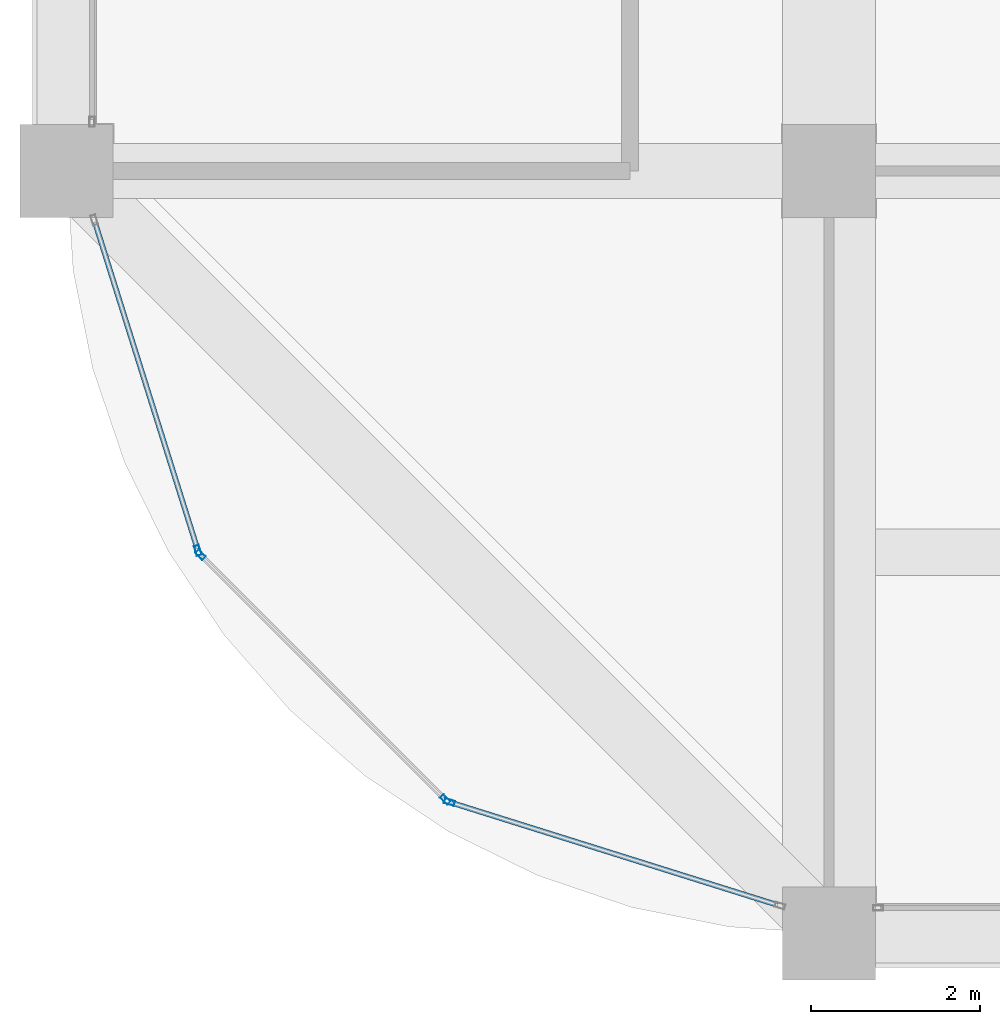
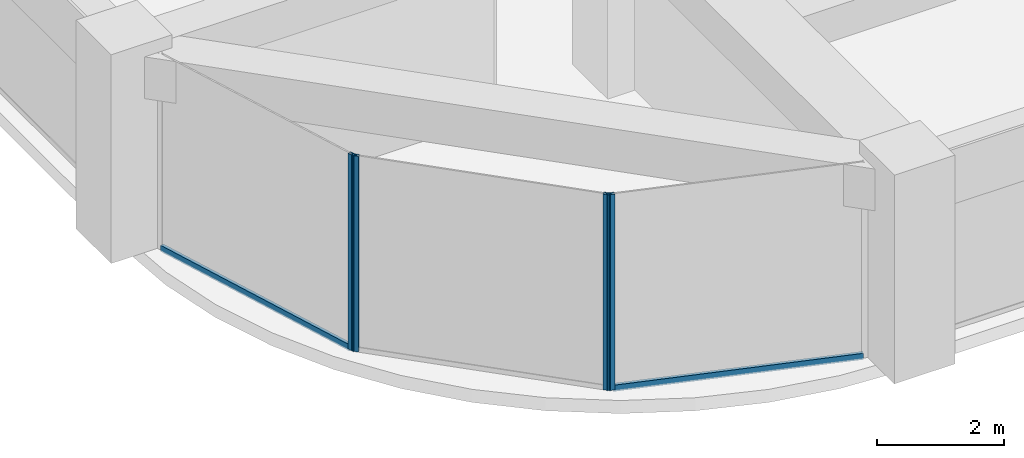
# One storey, part 2 of 44: 6 members, 3 elements without a shape of their own.
"""IFC4 building model written with IfcOpenShell, lengths in metres."""

from ifc_helpers import new_model, si_unit, direction, frame, origin, origin_2d, place, context, subcontext, project, spatial, hollow_rectangle, extrude, material, material_profile, profile_set, type_object, element, aggregate, save


model = new_model("IFC4")

# Units and contexts
model_context = context("Model", 3, precision=1e-05, world=origin(), true_north=direction((0.0, 1.0)))
body_context = subcontext(model_context, "Body", "Model", "MODEL_VIEW")
ifc_project = project(units=[si_unit("LENGTHUNIT", "METRE"), si_unit("AREAUNIT", "SQUARE_METRE"), si_unit("VOLUMEUNIT", "CUBIC_METRE"), si_unit("PLANEANGLEUNIT", "RADIAN"), si_unit("MASSUNIT", "GRAM", prefix="KILO")], contexts=[model_context])

# Site, building, storey
site_placement = place(None, origin())
site = spatial("IfcSite", under=ifc_project, at=site_placement, CompositionType="ELEMENT")
building_placement = place(site_placement, origin())
building = spatial("IfcBuilding", under=site, at=building_placement, Name="Zorevar Civic Tower", CompositionType="ELEMENT")
storey_placement = place(building_placement, frame((0.0, 0.0, 267.39990234375)))
storey = spatial("IfcBuildingStorey", under=building, at=storey_placement, Name="L65", CompositionType="ELEMENT", Elevation=267.39990234375)

# Curtain wall, member
ifc_material_1 = material(Name="Dark grey solar-control glass in black aluminium frame", Category="aluminium")
curtain_wall_type = type_object("IfcCurtainWallType", Name="Curtain wall CW5 top zone", PredefinedType="NOTDEFINED", material=ifc_material_1)
curtain_wall_1_placement = place(storey_placement, origin())
curtain_wall_1 = element("IfcCurtainWall", 1, at=curtain_wall_1_placement, inside=storey, type_object=curtain_wall_type, Name="CW5 L65", PredefinedType="NOTDEFINED")
ifc_material_2 = material(Name="Aluminium, black anodised", Category="aluminium")
ifc_material_profile_1 = material_profile(ifc_material_2, hollow_rectangle(XDim=0.06005859375, YDim=0.1201171875, WallThickness=0.0029296875, at=origin_2d()), Name="AL 120x60x3")
ifc_profile_set_1 = profile_set([ifc_material_profile_1], Name="Aluminium, black anodised")
member_type_1 = type_object("IfcMemberType", Name="CW5 mullion AL 120x60x3", PredefinedType="MULLION", material=ifc_profile_set_1)
member_1_placement = place(storey_placement, frame((10.550048828125, 4.520751953125, 0.0), z_axis=(0.0, 0.0, 1.0), x_axis=(0.954153437674, 0.299317920238, 0.0)))
member_1 = element("IfcMember", 2, at=member_1_placement, type_object=member_type_1, Name="CW5 mullion 2", PredefinedType="MULLION", context=body_context, shape_type="SweptSolid", body=[
    extrude(hollow_rectangle(XDim=0.06005859375, YDim=0.1201171875, WallThickness=0.0029296875, at=origin_2d()), origin(), (0.0, 0.0, 1.0), 3.75),
])

# Curtain wall, members
curtain_wall_2_placement = place(storey_placement, origin())
curtain_wall_2 = element("IfcCurtainWall", 3, at=curtain_wall_2_placement, inside=storey, type_object=curtain_wall_type, Name="CW5 L65", PredefinedType="NOTDEFINED")
member_2_placement = place(storey_placement, frame((10.580322265625, 4.470947265625, 0.0), z_axis=(0.0, 0.0, 1.0), x_axis=(0.707106781187, 0.707106781187, 0.0)))
member_2 = element("IfcMember", 4, at=member_2_placement, type_object=member_type_1, Name="CW5 mullion 1", PredefinedType="MULLION", context=body_context, shape_type="SweptSolid", body=[
    extrude(hollow_rectangle(XDim=0.06005859375, YDim=0.1201171875, WallThickness=0.0029296875, at=origin_2d()), origin(), (0.0, 0.0, 1.0), 3.75),
])
member_3_placement = place(storey_placement, frame((13.470947265625, 1.580322265625, 0.0), z_axis=(0.0, 0.0, 1.0), x_axis=(0.707106781187, 0.707106781187, 0.0)))
member_3 = element("IfcMember", 5, at=member_3_placement, type_object=member_type_1, Name="CW5 mullion 2", PredefinedType="MULLION", context=body_context, shape_type="SweptSolid", body=[
    extrude(hollow_rectangle(XDim=0.06005859375, YDim=0.1201171875, WallThickness=0.0029296875, at=origin_2d()), origin(), (0.0, 0.0, 1.0), 3.75),
])
aggregate(curtain_wall_2, [member_2, member_3])

# Curtain wall, member
curtain_wall_3_placement = place(storey_placement, origin())
curtain_wall_3 = element("IfcCurtainWall", 6, at=curtain_wall_3_placement, inside=storey, type_object=curtain_wall_type, Name="CW5 L65", PredefinedType="NOTDEFINED")
member_4_placement = place(storey_placement, frame((13.520751953125, 1.550048828125, 0.0), z_axis=(0.0, 0.0, 1.0), x_axis=(0.299317920238, 0.954153437674, 0.0)))
member_4 = element("IfcMember", 7, at=member_4_placement, type_object=member_type_1, Name="CW5 mullion 1", PredefinedType="MULLION", context=body_context, shape_type="SweptSolid", body=[
    extrude(hollow_rectangle(XDim=0.06005859375, YDim=0.1201171875, WallThickness=0.0029296875, at=origin_2d()), origin(), (0.0, 0.0, 1.0), 3.75),
])

# Member
ifc_material_3 = material(Name="Aluminium, black anodised", Category="aluminium")
ifc_material_profile_2 = material_profile(ifc_material_3, hollow_rectangle(XDim=0.06005859375, YDim=0.1201171875, WallThickness=0.0029296875, at=origin_2d()), Name="AL 120x60x3")
ifc_profile_set_2 = profile_set([ifc_material_profile_2], Name="Aluminium, black anodised")
member_type_2 = type_object("IfcMemberType", Name="CW5 transom AL 120x60x3", PredefinedType="USERDEFINED", material=ifc_profile_set_2)
member_5_placement = place(storey_placement, frame((9.33544921875, 8.392822265625, 0.030029296875), z_axis=(0.299285978047, -0.954163457351, 0.0), x_axis=(0.954163457351, 0.299285978047, 0.0)))
member_5 = element("IfcMember", 8, at=member_5_placement, type_object=member_type_2, Name="CW5 sill transom", ObjectType="TRANSOM", PredefinedType="USERDEFINED", context=body_context, shape_type="SweptSolid", body=[
    extrude(hollow_rectangle(XDim=0.06005859375, YDim=0.1201171875, WallThickness=0.0029296875, at=origin_2d()), origin(), (0.0, 0.0, 1.0), 4.028076171875),
])

aggregate(curtain_wall_1, [member_1, member_5])

member_6_placement = place(storey_placement, frame((13.54931640625, 1.541015625, 0.030029296875), z_axis=(0.954163457351, -0.299285978047, 0.0), x_axis=(0.299285978047, 0.954163457351, 0.0)))
member_6 = element("IfcMember", 9, at=member_6_placement, type_object=member_type_2, Name="CW5 sill transom", ObjectType="TRANSOM", PredefinedType="USERDEFINED", context=body_context, shape_type="SweptSolid", body=[
    extrude(hollow_rectangle(XDim=0.06005859375, YDim=0.1201171875, WallThickness=0.0029296875, at=origin_2d()), origin(), (0.0, 0.0, 1.0), 4.028076171875),
])

aggregate(curtain_wall_3, [member_4, member_6])

save(model, "model.ifc")
